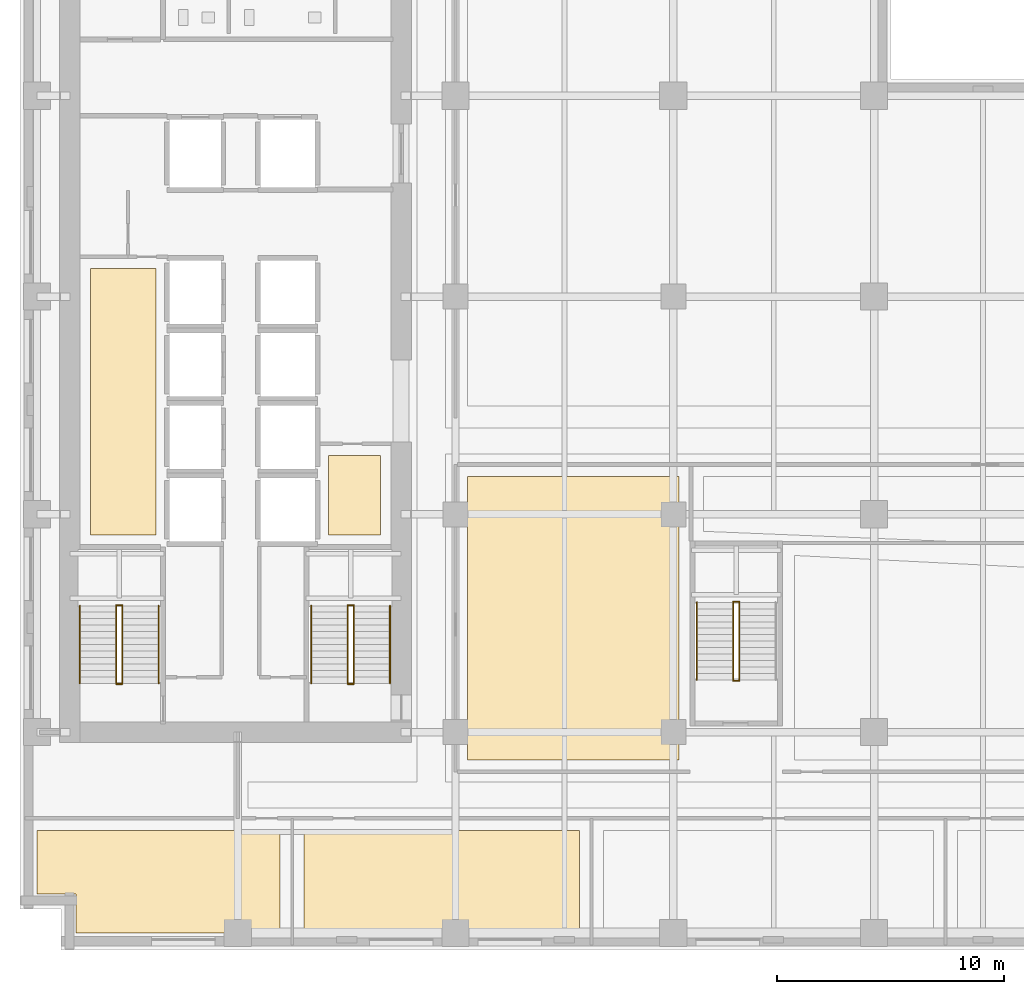
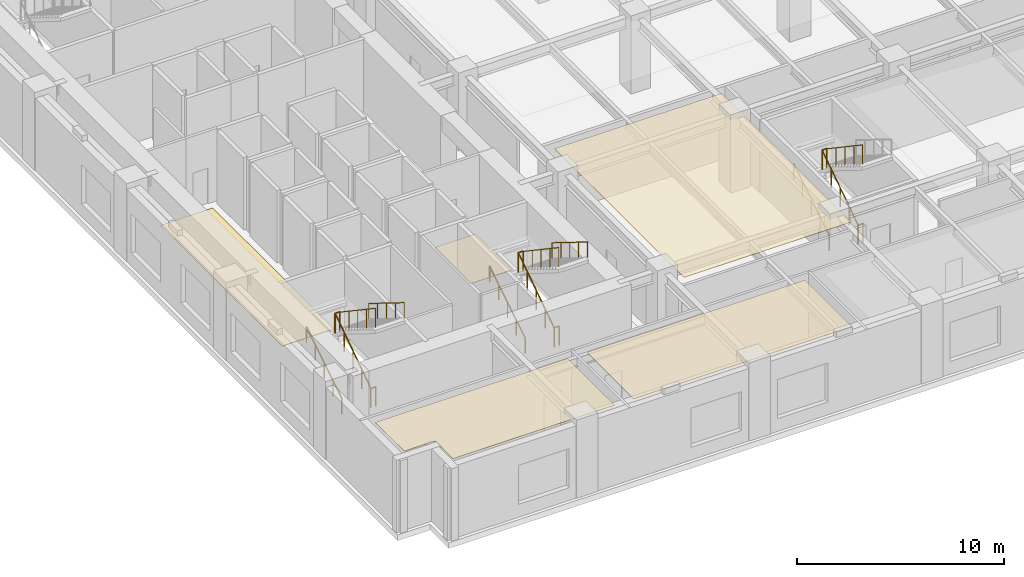
# One storey, part 18 of 24: 17 railings, 5 coverings.
"""IFC4 building model written with IfcOpenShell, lengths in metres."""

from ifc_helpers import new_model, si_unit, direction, frame, origin, origin_2d, place, context, subcontext, project, spatial, polyline, circle, outline, extrude, material, layer, layer_set, type_object, element, save


model = new_model("IFC4")

# Units and contexts
model_context = context("Model", 3, precision=1e-05, world=origin(), true_north=direction((0.0, 1.0)))
body_context = subcontext(model_context, "Body", "Model", "MODEL_VIEW")
ifc_project = project(units=[si_unit("LENGTHUNIT", "METRE"), si_unit("AREAUNIT", "SQUARE_METRE"), si_unit("VOLUMEUNIT", "CUBIC_METRE"), si_unit("PLANEANGLEUNIT", "RADIAN"), si_unit("MASSUNIT", "GRAM", prefix="KILO")], contexts=[model_context])

# Site, building, storey
site_placement = place(None, origin())
site = spatial("IfcSite", under=ifc_project, at=site_placement, CompositionType="ELEMENT")
building_placement = place(site_placement, origin())
building = spatial("IfcBuilding", under=site, at=building_placement, Name="Norrvale University Quadrangle", CompositionType="ELEMENT")
storey_placement = place(building_placement, frame((0.0, 0.0, 10.39990234375)))
storey = spatial("IfcBuildingStorey", under=building, at=storey_placement, Name="L02", CompositionType="ELEMENT", Elevation=10.39990234375)

# Coverings
ifc_material_1 = material(Name="Perforated Acoustic Mineral Ceiling")
ifc_layer_1 = layer(ifc_material_1, 0.02490234375, Name="Perforated Acoustic Mineral Ceiling")
ifc_layer_set_1 = layer_set([ifc_layer_1], Name="Perforated Acoustic Mineral Ceiling")
covering_type_1 = type_object("IfcCoveringType", Name="Covering Acoustic Ceiling 25", PredefinedType="CEILING", material=ifc_layer_set_1)
covering_1_placement = place(storey_placement, frame((0.0, 0.0, 4.235107421875)))
element("IfcCovering", 1, at=covering_1_placement, inside=storey, type_object=covering_type_1, Name="Acoustic Ceiling RM-L02-S01", PredefinedType="CEILING", context=body_context, shape_type="SweptSolid", body=[
    extrude(outline(polyline([(0.75, 5.27001953125), (11.469970703125, 5.27001953125), (11.469970703125, 0.75), (2.469970703125, 0.75), (2.469970703125, 2.469970703125), (0.75, 2.469970703125), (0.75, 5.27001953125)])), origin(), (0.0, 0.0, 1.0), 0.02490234375),
])
covering_2_placement = place(storey_placement, frame((0.0, 0.0, 4.235107421875)))
element("IfcCovering", 2, at=covering_2_placement, inside=storey, type_object=covering_type_1, Name="Acoustic Ceiling RM-L02-S02", PredefinedType="CEILING", context=body_context, shape_type="SweptSolid", body=[
    extrude(outline(polyline([(12.530029296875, 5.27001953125), (24.669921875, 5.27001953125), (24.669921875, 0.75), (12.530029296875, 0.75), (12.530029296875, 5.27001953125)])), origin(), (0.0, 0.0, 1.0), 0.02490234375),
])
covering_3_placement = place(storey_placement, frame((0.0, 0.0, 4.235107421875)))
element("IfcCovering", 3, at=covering_3_placement, inside=storey, type_object=covering_type_1, Name="Acoustic Ceiling RM-L02-IW1", PredefinedType="CEILING", context=body_context, shape_type="SweptSolid", body=[
    extrude(outline(polyline([(19.72998046875, 8.3798828125), (19.72998046875, 20.8701171875), (29.050048828125, 20.8701171875), (29.050048828125, 8.3798828125), (19.72998046875, 8.3798828125)])), origin(), (0.0, 0.0, 1.0), 0.02490234375),
])
ifc_material_2 = material(Name="Polished Terrazzo Flooring")
ifc_layer_2 = layer(ifc_material_2, 0.02490234375, Name="Polished Terrazzo Flooring")
ifc_layer_set_2 = layer_set([ifc_layer_2], Name="Polished Terrazzo Flooring")
covering_type_2 = type_object("IfcCoveringType", Name="Covering Terrazzo Floor 30", PredefinedType="FLOORING", material=ifc_layer_set_2)
covering_4_placement = place(storey_placement, origin())
element("IfcCovering", 4, at=covering_4_placement, inside=storey, type_object=covering_type_2, Name="Terrazzo Flooring RM-L02-JAN", PredefinedType="FLOORING", context=body_context, shape_type="SweptSolid", body=[
    extrude(outline(polyline([(13.60009765625, 18.300048828125), (13.60009765625, 21.800048828125), (15.89990234375, 21.800048828125), (15.89990234375, 18.300048828125), (13.60009765625, 18.300048828125)])), origin(), (0.0, 0.0, 1.0), 0.025146484375),
])
covering_5_placement = place(storey_placement, origin())
element("IfcCovering", 5, at=covering_5_placement, inside=storey, type_object=covering_type_2, Name="Terrazzo Flooring RM-L02-WSTOR", PredefinedType="FLOORING", context=body_context, shape_type="SweptSolid", body=[
    extrude(outline(polyline([(3.10009765625, 18.300048828125), (3.10009765625, 30.030029296875), (6.0, 30.030029296875), (6.0, 18.300048828125), (3.10009765625, 18.300048828125)])), origin(), (0.0, 0.0, 1.0), 0.025146484375),
])

# Railings
ifc_material_3 = material(Name="Steel 350W Painted Balustrade", Category="steel")
railing_type_1 = type_object("IfcRailingType", Name="Railing Stair Guard 1100", PredefinedType="GUARDRAIL", material=ifc_material_3)
for number, where, name in (
    (6, (4.239990234375, 11.719970703125, 0.0), "Stair Floor Well Guard ST-01 L02"),
    (7, (4.239990234375, 15.199951171875, 2.300048828125), "Stair Mid-Landing Slot Guard ST-01 L02"),
):
    element("IfcRailing", number, at=place(storey_placement, frame(where)), inside=storey, type_object=railing_type_1, Name=name, PredefinedType="GUARDRAIL", context=body_context, shape_type="SweptSolid", body=[
        extrude(circle(Radius=0.02392578125, at=origin_2d()), frame((0.0, 0.0, 1.1259765625), z_axis=(1.0, 0.0, 0.0), x_axis=(0.0, 1.0, 0.0)), (0.0, 0.0, 1.0), 0.27001953125),
        extrude(circle(Radius=0.02099609375, at=origin_2d()), origin(), (0.0, 0.0, 1.0), 1.101806640625),
        extrude(circle(Radius=0.02099609375, at=origin_2d()), frame((0.27001953125, 0.0, 0.0)), (0.0, 0.0, 1.0), 1.101806640625),
    ])
railing_1_placement = place(storey_placement, frame((4.239990234375, 11.75, 0.0)))
element("IfcRailing", 8, at=railing_1_placement, inside=storey, type_object=railing_type_1, Name="Stair Lower Flight Inner Guard ST-01 L02", PredefinedType="GUARDRAIL", context=body_context, shape_type="SweptSolid", body=[
    extrude(circle(Radius=0.02392578125, at=origin_2d()), frame((0.0, 0.0, 1.1259765625), z_axis=(0.0, 0.8297924358, 0.55807214004), x_axis=(-1.0, 0.0, 0.0)), (0.0, 0.0, 1.0), 4.121337890625),
    extrude(circle(Radius=0.02099609375, at=origin_2d()), origin(), (0.0, 0.0, 1.0), 1.101806640625),
    extrude(circle(Radius=0.02099609375, at=origin_2d()), frame((0.0, 0.85498046875, 0.574951171875)), (0.0, 0.0, 1.0), 1.101806640625),
    extrude(circle(Radius=0.02099609375, at=origin_2d()), frame((0.0, 1.7099609375, 1.14990234375)), (0.0, 0.0, 1.0), 1.101806640625),
    extrude(circle(Radius=0.02099609375, at=origin_2d()), frame((0.0, 2.56494140625, 1.72509765625)), (0.0, 0.0, 1.0), 1.101806640625),
    extrude(circle(Radius=0.02099609375, at=origin_2d()), frame((0.0, 3.419921875, 2.300048828125)), (0.0, 0.0, 1.0), 1.101806640625),
])
railing_2_placement = place(storey_placement, frame((4.510009765625, 15.169921875, 2.300048828125)))
element("IfcRailing", 9, at=railing_2_placement, inside=storey, type_object=railing_type_1, Name="Stair Upper Flight Inner Guard ST-01 L02", PredefinedType="GUARDRAIL", context=body_context, shape_type="SweptSolid", body=[
    extrude(circle(Radius=0.02392578125, at=origin_2d()), frame((0.0, 0.0, 1.1259765625), z_axis=(0.0, -0.8297924358, 0.55807214004), x_axis=(1.0, 0.0, 0.0)), (0.0, 0.0, 1.0), 4.121337890625),
    extrude(circle(Radius=0.02099609375, at=origin_2d()), origin(), (0.0, 0.0, 1.0), 1.101806640625),
    extrude(circle(Radius=0.02099609375, at=origin_2d()), frame((0.0, -0.85498046875, 0.574951171875)), (0.0, 0.0, 1.0), 1.101806640625),
    extrude(circle(Radius=0.02099609375, at=origin_2d()), frame((0.0, -1.7099609375, 1.14990234375)), (0.0, 0.0, 1.0), 1.101806640625),
    extrude(circle(Radius=0.02099609375, at=origin_2d()), frame((0.0, -2.56494140625, 1.72509765625)), (0.0, 0.0, 1.0), 1.101806640625),
    extrude(circle(Radius=0.02099609375, at=origin_2d()), frame((0.0, -3.419921875, 2.300048828125)), (0.0, 0.0, 1.0), 1.101806640625),
])
for number, where, name in (
    (10, (14.43994140625, 11.719970703125, 0.0), "Stair Floor Well Guard ST-03 L02"),
    (11, (14.43994140625, 15.199951171875, 2.300048828125), "Stair Mid-Landing Slot Guard ST-03 L02"),
):
    element("IfcRailing", number, at=place(storey_placement, frame(where)), inside=storey, type_object=railing_type_1, Name=name, PredefinedType="GUARDRAIL", context=body_context, shape_type="SweptSolid", body=[
        extrude(circle(Radius=0.02392578125, at=origin_2d()), frame((0.0, 0.0, 1.1259765625), z_axis=(1.0, 0.0, 0.0), x_axis=(0.0, 1.0, 0.0)), (0.0, 0.0, 1.0), 0.27001953125),
        extrude(circle(Radius=0.02099609375, at=origin_2d()), origin(), (0.0, 0.0, 1.0), 1.101806640625),
        extrude(circle(Radius=0.02099609375, at=origin_2d()), frame((0.27001953125, 0.0, 0.0)), (0.0, 0.0, 1.0), 1.101806640625),
    ])
railing_3_placement = place(storey_placement, frame((14.43994140625, 11.75, 0.0)))
element("IfcRailing", 12, at=railing_3_placement, inside=storey, type_object=railing_type_1, Name="Stair Lower Flight Inner Guard ST-03 L02", PredefinedType="GUARDRAIL", context=body_context, shape_type="SweptSolid", body=[
    extrude(circle(Radius=0.02392578125, at=origin_2d()), frame((0.0, 0.0, 1.1259765625), z_axis=(0.0, 0.8297924358, 0.55807214004), x_axis=(-1.0, 0.0, 0.0)), (0.0, 0.0, 1.0), 4.121337890625),
    extrude(circle(Radius=0.02099609375, at=origin_2d()), origin(), (0.0, 0.0, 1.0), 1.101806640625),
    extrude(circle(Radius=0.02099609375, at=origin_2d()), frame((0.0, 0.85498046875, 0.574951171875)), (0.0, 0.0, 1.0), 1.101806640625),
    extrude(circle(Radius=0.02099609375, at=origin_2d()), frame((0.0, 1.7099609375, 1.14990234375)), (0.0, 0.0, 1.0), 1.101806640625),
    extrude(circle(Radius=0.02099609375, at=origin_2d()), frame((0.0, 2.56494140625, 1.72509765625)), (0.0, 0.0, 1.0), 1.101806640625),
    extrude(circle(Radius=0.02099609375, at=origin_2d()), frame((0.0, 3.419921875, 2.300048828125)), (0.0, 0.0, 1.0), 1.101806640625),
])
railing_4_placement = place(storey_placement, frame((14.7099609375, 15.169921875, 2.300048828125)))
element("IfcRailing", 13, at=railing_4_placement, inside=storey, type_object=railing_type_1, Name="Stair Upper Flight Inner Guard ST-03 L02", PredefinedType="GUARDRAIL", context=body_context, shape_type="SweptSolid", body=[
    extrude(circle(Radius=0.02392578125, at=origin_2d()), frame((0.0, 0.0, 1.1259765625), z_axis=(0.0, -0.8297924358, 0.55807214004), x_axis=(1.0, 0.0, 0.0)), (0.0, 0.0, 1.0), 4.121337890625),
    extrude(circle(Radius=0.02099609375, at=origin_2d()), origin(), (0.0, 0.0, 1.0), 1.101806640625),
    extrude(circle(Radius=0.02099609375, at=origin_2d()), frame((0.0, -0.85498046875, 0.574951171875)), (0.0, 0.0, 1.0), 1.101806640625),
    extrude(circle(Radius=0.02099609375, at=origin_2d()), frame((0.0, -1.7099609375, 1.14990234375)), (0.0, 0.0, 1.0), 1.101806640625),
    extrude(circle(Radius=0.02099609375, at=origin_2d()), frame((0.0, -2.56494140625, 1.72509765625)), (0.0, 0.0, 1.0), 1.101806640625),
    extrude(circle(Radius=0.02099609375, at=origin_2d()), frame((0.0, -3.419921875, 2.300048828125)), (0.0, 0.0, 1.0), 1.101806640625),
])
for number, where, name in (
    (14, (31.43994140625, 11.8701171875, 0.0), "Stair Floor Well Guard ST-04 L02"),
    (15, (31.43994140625, 15.35009765625, 2.300048828125), "Stair Mid-Landing Slot Guard ST-04 L02"),
):
    element("IfcRailing", number, at=place(storey_placement, frame(where)), inside=storey, type_object=railing_type_1, Name=name, PredefinedType="GUARDRAIL", context=body_context, shape_type="SweptSolid", body=[
        extrude(circle(Radius=0.02392578125, at=origin_2d()), frame((0.0, 0.0, 1.1259765625), z_axis=(1.0, 0.0, 0.0), x_axis=(0.0, 1.0, 0.0)), (0.0, 0.0, 1.0), 0.27001953125),
        extrude(circle(Radius=0.02099609375, at=origin_2d()), origin(), (0.0, 0.0, 1.0), 1.101806640625),
        extrude(circle(Radius=0.02099609375, at=origin_2d()), frame((0.27001953125, 0.0, 0.0)), (0.0, 0.0, 1.0), 1.101806640625),
    ])
railing_5_placement = place(storey_placement, frame((31.43994140625, 11.89990234375, 0.0)))
element("IfcRailing", 16, at=railing_5_placement, inside=storey, type_object=railing_type_1, Name="Stair Lower Flight Inner Guard ST-04 L02", PredefinedType="GUARDRAIL", context=body_context, shape_type="SweptSolid", body=[
    extrude(circle(Radius=0.02392578125, at=origin_2d()), frame((0.0, 0.0, 1.1259765625), z_axis=(0.0, 0.829810883491, 0.558044709356), x_axis=(-1.0, 0.0, 0.0)), (0.0, 0.0, 1.0), 4.12158203125),
    extrude(circle(Radius=0.02099609375, at=origin_2d()), origin(), (0.0, 0.0, 1.0), 1.101806640625),
    extrude(circle(Radius=0.02099609375, at=origin_2d()), frame((0.0, 0.85498046875, 0.574951171875)), (0.0, 0.0, 1.0), 1.101806640625),
    extrude(circle(Radius=0.02099609375, at=origin_2d()), frame((0.0, 1.7099609375, 1.14990234375)), (0.0, 0.0, 1.0), 1.101806640625),
    extrude(circle(Radius=0.02099609375, at=origin_2d()), frame((0.0, 2.565185546875, 1.72509765625)), (0.0, 0.0, 1.0), 1.101806640625),
    extrude(circle(Radius=0.02099609375, at=origin_2d()), frame((0.0, 3.420166015625, 2.300048828125)), (0.0, 0.0, 1.0), 1.101806640625),
])
railing_6_placement = place(storey_placement, frame((31.7099609375, 15.320068359375, 2.300048828125)))
element("IfcRailing", 17, at=railing_6_placement, inside=storey, type_object=railing_type_1, Name="Stair Upper Flight Inner Guard ST-04 L02", PredefinedType="GUARDRAIL", context=body_context, shape_type="SweptSolid", body=[
    extrude(circle(Radius=0.02392578125, at=origin_2d()), frame((0.0, 0.0, 1.1259765625), z_axis=(0.0, -0.829810883491, 0.558044709356), x_axis=(1.0, 0.0, 0.0)), (0.0, 0.0, 1.0), 4.12158203125),
    extrude(circle(Radius=0.02099609375, at=origin_2d()), origin(), (0.0, 0.0, 1.0), 1.101806640625),
    extrude(circle(Radius=0.02099609375, at=origin_2d()), frame((0.0, -0.85498046875, 0.574951171875)), (0.0, 0.0, 1.0), 1.101806640625),
    extrude(circle(Radius=0.02099609375, at=origin_2d()), frame((0.0, -1.7099609375, 1.14990234375)), (0.0, 0.0, 1.0), 1.101806640625),
    extrude(circle(Radius=0.02099609375, at=origin_2d()), frame((0.0, -2.565185546875, 1.72509765625)), (0.0, 0.0, 1.0), 1.101806640625),
    extrude(circle(Radius=0.02099609375, at=origin_2d()), frame((0.0, -3.420166015625, 2.300048828125)), (0.0, 0.0, 1.0), 1.101806640625),
])
ifc_material_4 = material(Name="Stainless Steel 316L Handrail", Category="steel")
railing_type_2 = type_object("IfcRailingType", Name="Railing Stair Handrail 920", PredefinedType="HANDRAIL", material=ifc_material_4)
railing_7_placement = place(storey_placement, frame((2.639892578125, 11.75, 0.177001953125)))
element("IfcRailing", 18, at=railing_7_placement, inside=storey, type_object=railing_type_2, Name="Stair Lower Flight Handrail ST-01 L02", PredefinedType="HANDRAIL", context=body_context, shape_type="SweptSolid", body=[
    extrude(circle(Radius=0.02392578125, at=origin_2d()), frame((0.0, 0.0, 0.89599609375), z_axis=(0.0, 0.849602680019, 0.527423251388), x_axis=(-1.0, 0.0, 0.0)), (0.0, 0.0, 1.0), 4.025390625),
    extrude(circle(Radius=0.02099609375, at=origin_2d()), origin(), (0.0, 0.0, 1.0), 0.871826171875),
    extrude(circle(Radius=0.02099609375, at=origin_2d()), frame((0.0, 0.85498046875, 0.53076171875)), (0.0, 0.0, 1.0), 0.871826171875),
    extrude(circle(Radius=0.02099609375, at=origin_2d()), frame((0.0, 1.7099609375, 1.0615234375)), (0.0, 0.0, 1.0), 0.871826171875),
    extrude(circle(Radius=0.02099609375, at=origin_2d()), frame((0.0, 2.56494140625, 1.59228515625)), (0.0, 0.0, 1.0), 0.871826171875),
    extrude(circle(Radius=0.02099609375, at=origin_2d()), frame((0.0, 3.419921875, 2.123046875)), (0.0, 0.0, 1.0), 0.871826171875),
])
railing_8_placement = place(storey_placement, frame((6.110107421875, 15.169921875, 2.47705078125)))
element("IfcRailing", 19, at=railing_8_placement, inside=storey, type_object=railing_type_2, Name="Stair Upper Flight Handrail ST-01 L02", PredefinedType="HANDRAIL", context=body_context, shape_type="SweptSolid", body=[
    extrude(circle(Radius=0.02392578125, at=origin_2d()), frame((0.0, 0.0, 0.89599609375), z_axis=(0.0, -0.849602680019, 0.527423251388), x_axis=(1.0, 0.0, 0.0)), (0.0, 0.0, 1.0), 4.025390625),
    extrude(circle(Radius=0.02099609375, at=origin_2d()), origin(), (0.0, 0.0, 1.0), 0.871826171875),
    extrude(circle(Radius=0.02099609375, at=origin_2d()), frame((0.0, -0.85498046875, 0.53076171875)), (0.0, 0.0, 1.0), 0.871826171875),
    extrude(circle(Radius=0.02099609375, at=origin_2d()), frame((0.0, -1.7099609375, 1.0615234375)), (0.0, 0.0, 1.0), 0.871826171875),
    extrude(circle(Radius=0.02099609375, at=origin_2d()), frame((0.0, -2.56494140625, 1.59228515625)), (0.0, 0.0, 1.0), 0.871826171875),
    extrude(circle(Radius=0.02099609375, at=origin_2d()), frame((0.0, -3.419921875, 2.123046875)), (0.0, 0.0, 1.0), 0.871826171875),
])
railing_9_placement = place(storey_placement, frame((12.840087890625, 11.75, 0.177001953125)))
element("IfcRailing", 20, at=railing_9_placement, inside=storey, type_object=railing_type_2, Name="Stair Lower Flight Handrail ST-03 L02", PredefinedType="HANDRAIL", context=body_context, shape_type="SweptSolid", body=[
    extrude(circle(Radius=0.02392578125, at=origin_2d()), frame((0.0, 0.0, 0.89599609375), z_axis=(0.0, 0.849602680019, 0.527423251388), x_axis=(-1.0, 0.0, 0.0)), (0.0, 0.0, 1.0), 4.025390625),
    extrude(circle(Radius=0.02099609375, at=origin_2d()), origin(), (0.0, 0.0, 1.0), 0.871826171875),
    extrude(circle(Radius=0.02099609375, at=origin_2d()), frame((0.0, 0.85498046875, 0.53076171875)), (0.0, 0.0, 1.0), 0.871826171875),
    extrude(circle(Radius=0.02099609375, at=origin_2d()), frame((0.0, 1.7099609375, 1.0615234375)), (0.0, 0.0, 1.0), 0.871826171875),
    extrude(circle(Radius=0.02099609375, at=origin_2d()), frame((0.0, 2.56494140625, 1.59228515625)), (0.0, 0.0, 1.0), 0.871826171875),
    extrude(circle(Radius=0.02099609375, at=origin_2d()), frame((0.0, 3.419921875, 2.123046875)), (0.0, 0.0, 1.0), 0.871826171875),
])
railing_10_placement = place(storey_placement, frame((16.31005859375, 15.169921875, 2.47705078125)))
element("IfcRailing", 21, at=railing_10_placement, inside=storey, type_object=railing_type_2, Name="Stair Upper Flight Handrail ST-03 L02", PredefinedType="HANDRAIL", context=body_context, shape_type="SweptSolid", body=[
    extrude(circle(Radius=0.02392578125, at=origin_2d()), frame((0.0, 0.0, 0.89599609375), z_axis=(0.0, -0.849602680019, 0.527423251388), x_axis=(1.0, 0.0, 0.0)), (0.0, 0.0, 1.0), 4.025390625),
    extrude(circle(Radius=0.02099609375, at=origin_2d()), origin(), (0.0, 0.0, 1.0), 0.871826171875),
    extrude(circle(Radius=0.02099609375, at=origin_2d()), frame((0.0, -0.85498046875, 0.53076171875)), (0.0, 0.0, 1.0), 0.871826171875),
    extrude(circle(Radius=0.02099609375, at=origin_2d()), frame((0.0, -1.7099609375, 1.0615234375)), (0.0, 0.0, 1.0), 0.871826171875),
    extrude(circle(Radius=0.02099609375, at=origin_2d()), frame((0.0, -2.56494140625, 1.59228515625)), (0.0, 0.0, 1.0), 0.871826171875),
    extrude(circle(Radius=0.02099609375, at=origin_2d()), frame((0.0, -3.419921875, 2.123046875)), (0.0, 0.0, 1.0), 0.871826171875),
])
railing_11_placement = place(storey_placement, frame((29.840087890625, 11.89990234375, 0.177001953125)))
element("IfcRailing", 22, at=railing_11_placement, inside=storey, type_object=railing_type_2, Name="Stair Lower Flight Handrail ST-04 L02", PredefinedType="HANDRAIL", context=body_context, shape_type="SweptSolid", body=[
    extrude(circle(Radius=0.02392578125, at=origin_2d()), frame((0.0, 0.0, 0.89599609375), z_axis=(0.0, 0.849619550393, 0.527396074682), x_axis=(-1.0, 0.0, 0.0)), (0.0, 0.0, 1.0), 4.025634765625),
    extrude(circle(Radius=0.02099609375, at=origin_2d()), origin(), (0.0, 0.0, 1.0), 0.871826171875),
    extrude(circle(Radius=0.02099609375, at=origin_2d()), frame((0.0, 0.85498046875, 0.53076171875)), (0.0, 0.0, 1.0), 0.871826171875),
    extrude(circle(Radius=0.02099609375, at=origin_2d()), frame((0.0, 1.7099609375, 1.0615234375)), (0.0, 0.0, 1.0), 0.871826171875),
    extrude(circle(Radius=0.02099609375, at=origin_2d()), frame((0.0, 2.565185546875, 1.59228515625)), (0.0, 0.0, 1.0), 0.871826171875),
    extrude(circle(Radius=0.02099609375, at=origin_2d()), frame((0.0, 3.420166015625, 2.123046875)), (0.0, 0.0, 1.0), 0.871826171875),
])

save(model, "model.ifc")
